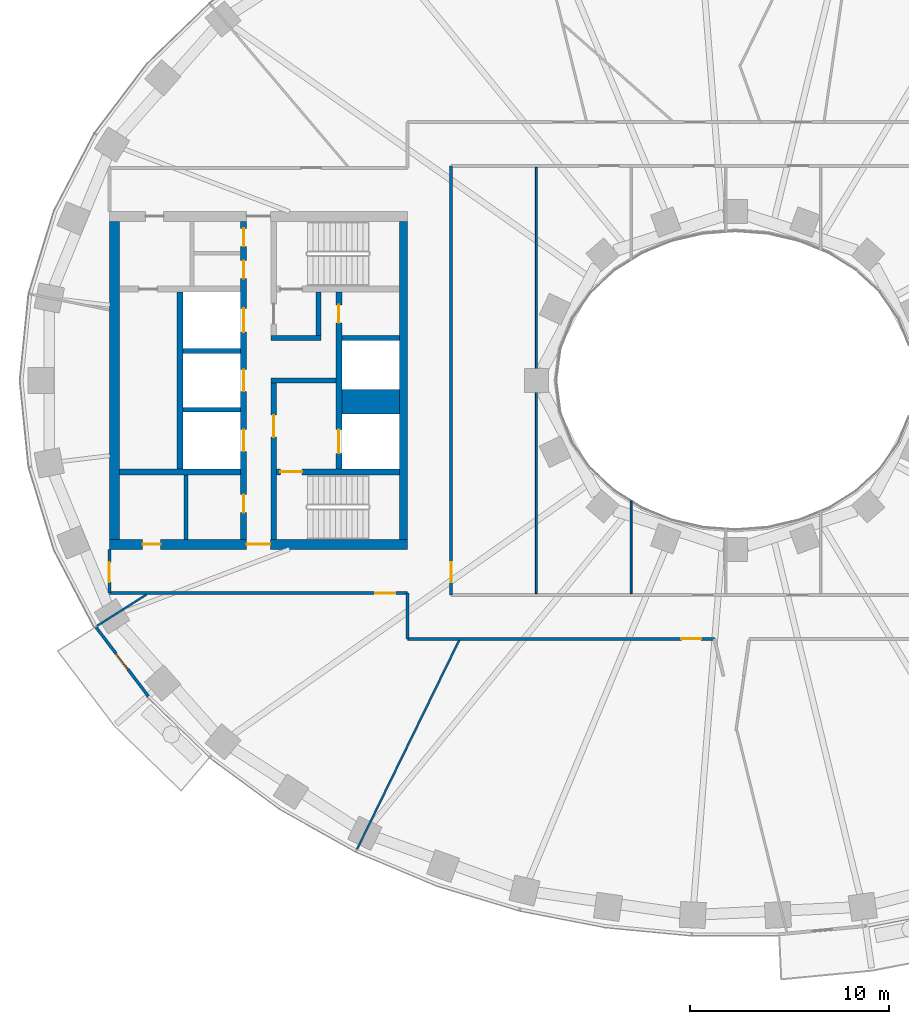
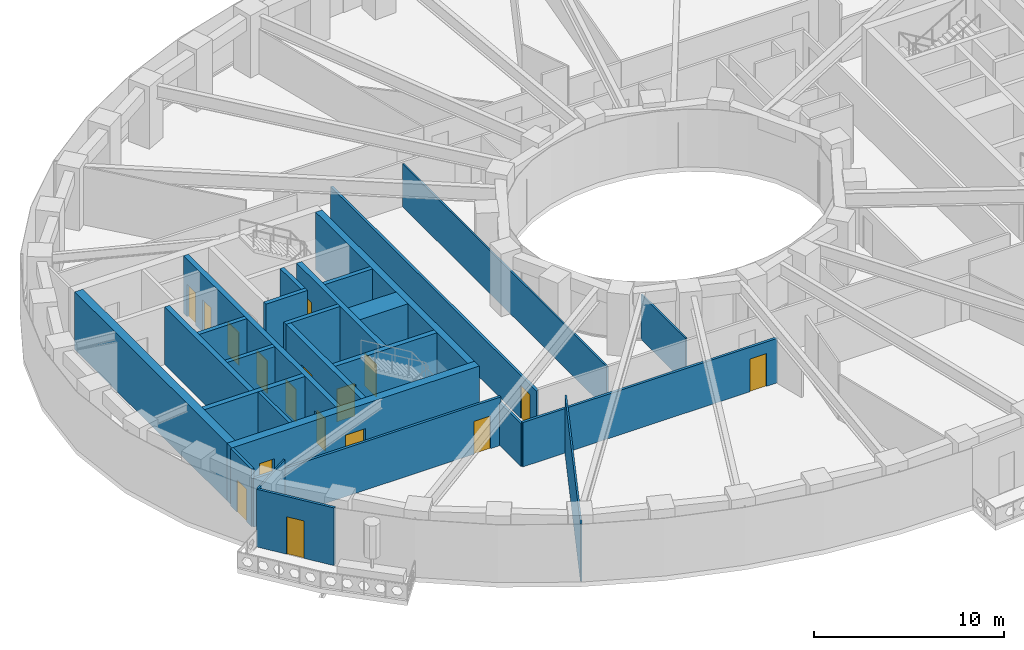
# One storey, part 3 of 16: 27 walls, 17 doors, 17 openings.
"""IFC4 building model written with IfcOpenShell, lengths in metres."""

import ifcopenshell
import ifcopenshell.guid

model = None  # the IFC model being written
_history = None  # IfcOwnerHistory: only IFC2X3 demands one
_inside = {}  # id of a spatial element -> (the spatial element, [elements in it])
_under = {}  # id of a project, library or spatial element -> (it, [spatial elements below it])
_declared = {}  # id of a project -> (the project, [libraries it declares])
_typed = {}  # id of a type object -> (the type object, [elements of that type])
_made_of = {}  # id of a material, layer set ... -> (it, [elements and type objects made of it])


def new_model(schema):
    """Start an empty IFC model of exactly this schema.

    Asked for "IFC4X3", IfcOpenShell would pick the latest addendum, in which some entities
    have other attributes; the version numbers below select the first issue.
    IFC2X3 requires an IfcOwnerHistory on every rooted entity: one is made here for all.
    """
    global model, _history
    if schema == "IFC4X3":
        model = ifcopenshell.file(schema_version=(4, 3, 0, 0))
    else:
        model = ifcopenshell.file(schema=schema)
    _inside.clear()
    _under.clear()
    _declared.clear()
    _typed.clear()
    _made_of.clear()
    _history = None
    if model.schema == "IFC2X3":
        org = make("IfcOrganization", Name="unknown")
        user = make(
            "IfcPersonAndOrganization",
            ThePerson=make("IfcPerson", FamilyName="unknown"),
            TheOrganization=org,
        )
        app = make(
            "IfcApplication",
            ApplicationDeveloper=org,
            Version="unknown",
            ApplicationFullName="unknown",
            ApplicationIdentifier="unknown",
        )
        _history = make(
            "IfcOwnerHistory",
            OwningUser=user,
            OwningApplication=app,
            ChangeAction="ADDED",
            CreationDate=0,
        )
    return model


def make(cls, **values):
    """One entity of the class cls with the attributes given. An attribute that is None is left unset."""
    return model.create_entity(
        cls, **{name: value for name, value in values.items() if value is not None}
    )


def rooted(cls, **values):
    """An entity with a GlobalId (a new one), such as an element, a storey or a relation."""
    return make(cls, GlobalId=ifcopenshell.guid.new(), OwnerHistory=_history, **values)


def si_unit(unit_type, name, prefix=None):
    """IfcSIUnit, for example si_unit("LENGTHUNIT", "METRE", prefix="MILLI")."""
    return make("IfcSIUnit", UnitType=unit_type, Prefix=prefix, Name=name)


def assignment(units):
    """IfcUnitAssignment: the units of a project."""
    return None if units is None else make("IfcUnitAssignment", Units=units)


def point(xyz):
    """IfcCartesianPoint."""
    return None if xyz is None else make("IfcCartesianPoint", Coordinates=xyz)


def direction(xyz):
    """IfcDirection."""
    return None if xyz is None else make("IfcDirection", DirectionRatios=xyz)


def frame(location, z_axis=None, x_axis=None):
    """IfcAxis2Placement3D, a coordinate frame: its origin and axes. An axis left out is left unset."""
    return make(
        "IfcAxis2Placement3D",
        Location=point(location),
        Axis=direction(z_axis),
        RefDirection=direction(x_axis),
    )


def frame_2d(location, x_axis=None):
    """IfcAxis2Placement2D, a coordinate frame in the plane: its origin and x axis."""
    return make(
        "IfcAxis2Placement2D", Location=point(location), RefDirection=direction(x_axis)
    )


def origin():
    """The frame at (0, 0, 0) with its axes left unset."""
    return frame((0.0, 0.0, 0.0))


def place(relative_to, where):
    """IfcLocalPlacement: puts the frame where relative to a parent placement (None: the world)."""
    return make(
        "IfcLocalPlacement", PlacementRelTo=relative_to, RelativePlacement=where
    )


def context(
    kind, dimensions, precision=None, world=None, true_north=None, identifier=None
):
    """IfcGeometricRepresentationContext, for example the 3D "Model" context."""
    return make(
        "IfcGeometricRepresentationContext",
        ContextIdentifier=identifier,
        ContextType=kind,
        CoordinateSpaceDimension=dimensions,
        Precision=precision,
        WorldCoordinateSystem=world,
        TrueNorth=true_north,
    )


def subcontext(parent, identifier, kind, view, scale=None):
    """IfcGeometricRepresentationSubContext, for example "Body" below "Model"."""
    return make(
        "IfcGeometricRepresentationSubContext",
        ContextIdentifier=identifier,
        ContextType=kind,
        ParentContext=parent,
        TargetScale=scale,
        TargetView=view,
    )


def project(units=None, contexts=None):
    """IfcProject with its units and contexts."""
    return rooted(
        "IfcProject",
        Name="project",
        RepresentationContexts=contexts,
        UnitsInContext=assignment(units),
    )


def spatial(cls, under=None, at=None, **own):
    """A site, building, storey or space (cls), placed at a placement, below another one or the project."""
    s = rooted(cls, ObjectPlacement=at, **own)
    if under is not None:
        _under.setdefault(under.id(), (under, []))[1].append(s)
    return s


def profile(cls, at=None, kind="AREA", **sizes):
    """A parametric profile (cls). Its sizes go by their IFC names, for example OverallWidth=200.0."""
    return make(cls, ProfileType=kind, Position=at, **sizes)


def rectangle(**sizes):
    """IfcRectangleProfileDef."""
    return profile("IfcRectangleProfileDef", **sizes)


def extrude(swept, where, along, depth):
    """IfcExtrudedAreaSolid: the profile swept, set in the frame where, extruded along a direction by depth."""
    return make(
        "IfcExtrudedAreaSolid",
        SweptArea=swept,
        Position=where,
        ExtrudedDirection=direction(along),
        Depth=depth,
    )


def shape(context_of_items, identifier, shape_type, items):
    """IfcShapeRepresentation: the items that make up one representation, for example the "Body"."""
    return make(
        "IfcShapeRepresentation",
        ContextOfItems=context_of_items,
        RepresentationIdentifier=identifier,
        RepresentationType=shape_type,
        Items=items,
    )


def material(Name=None, Category=None):
    """IfcMaterial."""
    return make("IfcMaterial", Name=Name, Category=Category)


def layer(
    of_material, thickness, ventilated=None, Name=None, Category=None, Priority=None
):
    """IfcMaterialLayer: one layer of a wall or slab, of a material (None: an air gap)."""
    return make(
        "IfcMaterialLayer",
        Material=of_material,
        LayerThickness=thickness,
        IsVentilated=ventilated,
        Name=Name,
        Category=Category,
        Priority=Priority,
    )


def layer_set(layers, Name=None):
    """IfcMaterialLayerSet."""
    return make("IfcMaterialLayerSet", MaterialLayers=layers, LayerSetName=Name)


def made_of(thing, what):
    """Note that an element or type object is made of a material, layer set ...; save() writes the relation."""
    if what is not None:
        _made_of.setdefault(what.id(), (what, []))[1].append(thing)
    return thing


def type_object(cls, material=None, **own):
    """A type object (cls), such as IfcWallType, which elements share."""
    return made_of(rooted(cls, **own), material)


def element(
    cls,
    number,
    at=None,
    inside=None,
    cuts=None,
    type_object=None,
    material=None,
    context=None,
    identifier="Body",
    shape_type=None,
    held_by="IfcProductDefinitionShape",
    body=None,
    shapes=None,
    **own,
):
    """One element of the class cls, such as IfcWall. Its Tag is "e" and its number.

    at: its placement. inside: the storey or other place that contains it. cuts: it is an
    opening in that element (IfcRelVoidsElement). A single representation is given by context,
    identifier, shape_type and body (its items); several are given by shapes. held_by: the class
    of the entity that holds the representations. save() writes the other relations.
    """
    e = rooted(cls, Tag="e%d" % number, ObjectPlacement=at, **own)
    if body is not None:
        shapes = [shape(context, identifier, shape_type, body)]
    if shapes is not None:
        e.Representation = make(held_by, Representations=shapes)
    if inside is not None:
        _inside.setdefault(inside.id(), (inside, []))[1].append(e)
    if cuts is not None:
        rooted(
            "IfcRelVoidsElement", RelatingBuildingElement=cuts, RelatedOpeningElement=e
        )
    if type_object is not None:
        _typed.setdefault(type_object.id(), (type_object, []))[1].append(e)
    return made_of(e, material)


def fill(opening, filler):
    """IfcRelFillsElement: the door or window that sits in an opening."""
    return rooted(
        "IfcRelFillsElement",
        RelatingOpeningElement=opening,
        RelatedBuildingElement=filler,
    )


def aggregate(whole, parts):
    """IfcRelAggregates: a whole, such as a stair, and the parts it consists of."""
    return rooted("IfcRelAggregates", RelatingObject=whole, RelatedObjects=parts)


def save(model, path):
    """Write the relations noted so far, then the file.

    IfcRelAggregates (storeys below a building ...), IfcRelContainedInSpatialStructure (elements
    in a storey), IfcRelDefinesByType, IfcRelAssociatesMaterial and IfcRelDeclares: one each for
    every whole, place, type object, material and project.
    """
    for whole, parts in _under.values():
        aggregate(whole, parts)
    for where, things in _inside.values():
        rooted(
            "IfcRelContainedInSpatialStructure",
            RelatedElements=things,
            RelatingStructure=where,
        )
    for kind, things in _typed.values():
        rooted("IfcRelDefinesByType", RelatedObjects=things, RelatingType=kind)
    for what, things in _made_of.values():
        rooted("IfcRelAssociatesMaterial", RelatedObjects=things, RelatingMaterial=what)
    for by, libraries in _declared.values():
        rooted("IfcRelDeclares", RelatingContext=by, RelatedDefinitions=libraries)
    model.write(path)


model = new_model("IFC4")

# Units and contexts
model_context = context("Model", 3, precision=1e-05, world=origin(), true_north=direction((0.0, 1.0)))
body_context = subcontext(model_context, "Body", "Model", "MODEL_VIEW")
ifc_project = project(units=[si_unit("LENGTHUNIT", "METRE"), si_unit("AREAUNIT", "SQUARE_METRE"), si_unit("VOLUMEUNIT", "CUBIC_METRE"), si_unit("PLANEANGLEUNIT", "RADIAN"), si_unit("MASSUNIT", "GRAM", prefix="KILO")], contexts=[model_context])

# Site, building, storey
site_placement = place(None, origin())
site = spatial("IfcSite", under=ifc_project, at=site_placement, CompositionType="ELEMENT")
building_placement = place(site_placement, origin())
building = spatial("IfcBuilding", under=site, at=building_placement, Name="Noorbagh Ring Tower", CompositionType="ELEMENT")
storey_placement = place(building_placement, frame((0.0, 0.0, 108.0)))
storey = spatial("IfcBuildingStorey", under=building, at=storey_placement, Name="L24", CompositionType="ELEMENT", Elevation=108.0)

# Walls
ifc_material_1 = material(Name="Gypsum board on steel studs", Category="steel")
ifc_layer_1 = layer(ifc_material_1, 0.199951171875)
ifc_layer_set_1 = layer_set([ifc_layer_1], Name="Gypsum board on steel studs")
wall_type_1 = type_object("IfcWallType", Name="CORE-PARTITION-200", PredefinedType="PARTITIONING", material=ifc_layer_set_1)
wall_1_placement = place(storey_placement, frame((-27.64990234375, -8.0, 0.0), z_axis=(0.0, 0.0, 1.0), x_axis=(0.0, 1.0, 0.0)))
element("IfcWall", 1, at=wall_1_placement, inside=storey, type_object=wall_type_1, Name="Core partition W", PredefinedType="PARTITIONING", context=body_context, shape_type="SweptSolid", body=[
    extrude(rectangle(XDim=3.25, YDim=0.199951171875, at=frame_2d((1.625, 0.0))), origin(), (0.0, 0.0, 1.0), 3.699951171875),
])
ifc_material_2 = material(Name="Concrete C70/85", Category="concrete")
ifc_layer_2 = layer(ifc_material_2, 1.25)
ifc_layer_set_2 = layer_set([ifc_layer_2], Name="Concrete C70/85")
wall_type_2 = type_object("IfcWallType", Name="CORE-WALL-1250-C70-85-EI120", PredefinedType="SHEAR", material=ifc_layer_set_2)
wall_2_placement = place(storey_placement, frame((-16.89990234375, -1.074951171875, 0.0), z_axis=(0.0, 0.0, 1.0), x_axis=(-1.0, 0.0, 0.0)))
element("IfcWall", 2, at=wall_2_placement, inside=storey, type_object=wall_type_2, Name="Core wall W", PredefinedType="SHEAR", context=body_context, shape_type="SweptSolid", body=[
    extrude(rectangle(XDim=2.900146484375, YDim=1.25, at=frame_2d((1.4501953125, 0.0))), origin(), (0.0, 0.0, 1.0), 3.699951171875),
])
ifc_material_3 = material(Name="Concrete C70/85", Category="concrete")
ifc_layer_3 = layer(ifc_material_3, 0.25)
ifc_layer_set_3 = layer_set([ifc_layer_3], Name="Concrete C70/85")
wall_type_3 = type_object("IfcWallType", Name="CORE-WALL-250-C70-85-EI120", PredefinedType="SHEAR", material=ifc_layer_set_3)
for number, where, z_axis, x_axis, name in (
    (3, (-16.89990234375, 2.125, 0.0), (0.0, 0.0, 1.0), (-1.0, 0.0, 0.0), "Core wall W"),
    (4, (-24.89990234375, -1.47509765625, 0.0), (0.0, 0.0, 1.0), (-1.0, 0.0, 0.0), "Core wall W"),
    (5, (-24.89990234375, 1.47509765625, 0.0), (0.0, 0.0, 1.0), (-1.0, 0.0, 0.0), "Core wall W"),
):
    element("IfcWall", number, at=place(storey_placement, frame(where, z_axis=z_axis, x_axis=x_axis)), inside=storey, type_object=wall_type_3, Name=name, PredefinedType="SHEAR", context=body_context, shape_type="SweptSolid", body=[
        extrude(rectangle(XDim=2.900146484375, YDim=0.25, at=frame_2d((1.4501953125, 0.0))), origin(), (0.0, 0.0, 1.0), 3.699951171875),
    ])
ifc_material_4 = material(Name="Concrete C70/85", Category="concrete")
ifc_layer_4 = layer(ifc_material_4, 0.25)
ifc_layer_set_4 = layer_set([ifc_layer_4], Name="Concrete C70/85")
wall_type_4 = type_object("IfcWallType", Name="CORE-WALL-250-C70-85-EI240", PredefinedType="SHEAR", material=ifc_layer_set_4)
wall_3_placement = place(storey_placement, frame((-20.10009765625, 0.0, 0.0), z_axis=(0.0, 0.0, 1.0), x_axis=(-1.0, 0.0, 0.0)))
element("IfcWall", 6, at=wall_3_placement, inside=storey, type_object=wall_type_4, Name="Core wall W", PredefinedType="SHEAR", context=body_context, shape_type="SweptSolid", body=[
    extrude(rectangle(XDim=3.27978515625, YDim=0.25, at=frame_2d((1.639892578125, 0.0))), origin(), (0.0, 0.0, 1.0), 3.699951171875),
])
wall_4_placement = place(storey_placement, frame((-20.85009765625, 2.125, 0.0), z_axis=(0.0, 0.0, 1.0), x_axis=(-1.0, 0.0, 0.0)))
element("IfcWall", 7, at=wall_4_placement, inside=storey, type_object=wall_type_4, Name="Core wall W", PredefinedType="SHEAR", context=body_context, shape_type="SweptSolid", body=[
    extrude(rectangle(XDim=2.52978515625, YDim=0.25, at=frame_2d((1.264892578125, 0.0))), origin(), (0.0, 0.0, 1.0), 3.699951171875),
])
wall_5_placement = place(storey_placement, frame((-20.97509765625, 2.25, 0.0), z_axis=(0.0, 0.0, 1.0), x_axis=(0.0, 1.0, 0.0)))
element("IfcWall", 8, at=wall_5_placement, inside=storey, type_object=wall_type_4, Name="Core wall W", PredefinedType="SHEAR", context=body_context, shape_type="SweptSolid", body=[
    extrude(rectangle(XDim=2.199951171875, YDim=0.25, at=frame_2d((1.10009765625, 0.0))), origin(), (0.0, 0.0, 1.0), 3.699951171875),
])
ifc_material_5 = material(Name="Concrete C70/85", Category="concrete")
ifc_layer_5 = layer(ifc_material_5, 0.300048828125)
ifc_layer_set_5 = layer_set([ifc_layer_5], Name="Concrete C70/85")
wall_type_5 = type_object("IfcWallType", Name="CORE-WALL-300-C70-85-EI120", PredefinedType="SHEAR", material=ifc_layer_set_5)
wall_6_placement = place(storey_placement, frame((-27.949951171875, -4.449951171875, 0.0), z_axis=(0.0, 0.0, 1.0), x_axis=(0.0, 1.0, 0.0)))
element("IfcWall", 9, at=wall_6_placement, inside=storey, type_object=wall_type_5, Name="Core wall W", PredefinedType="SHEAR", context=body_context, shape_type="SweptSolid", body=[
    extrude(rectangle(XDim=8.89990234375, YDim=0.300048828125, at=frame_2d((4.449951171875, 0.0))), origin(), (0.0, 0.0, 1.0), 3.699951171875),
])

# Wall, openings, doors
wall_7_placement = place(storey_placement, frame((-19.949951171875, -4.449951171875, 0.0), z_axis=(0.0, 0.0, 1.0), x_axis=(0.0, 1.0, 0.0)))
wall_7 = element("IfcWall", 10, at=wall_7_placement, inside=storey, type_object=wall_type_5, Name="Core wall W", PredefinedType="SHEAR", context=body_context, shape_type="SweptSolid", body=[
    extrude(rectangle(XDim=8.89990234375, YDim=0.300048828125, at=frame_2d((4.449951171875, 0.0))), origin(), (0.0, 0.0, 1.0), 3.699951171875),
])
opening_1_placement = place(wall_7_placement, frame((0.77490234375, 0.0, 0.0)))
opening_1 = element("IfcOpeningElement", 11, at=opening_1_placement, cuts=wall_7, Name="Opening L24-CW01", PredefinedType="OPENING", context=body_context, shape_type="SweptSolid", body=[
    extrude(rectangle(XDim=1.199951171875, YDim=2.10009765625, at=frame_2d((0.60009765625, 1.050048828125))), frame((0.0, 0.16015625, 0.0), z_axis=(0.0, -1.0, 0.0), x_axis=(1.0, 0.0, 0.0)), (0.0, 0.0, 1.0), 0.320068359375),
])
opening_2_placement = place(wall_7_placement, frame((7.35009765625, 0.0, 0.0)))
opening_2 = element("IfcOpeningElement", 12, at=opening_2_placement, cuts=wall_7, Name="Opening L24-CW11", PredefinedType="OPENING", context=body_context, shape_type="SweptSolid", body=[
    extrude(rectangle(XDim=0.89990234375, YDim=2.10009765625, at=frame_2d((0.449951171875, 1.050048828125))), frame((0.0, 0.16015625, 0.0), z_axis=(0.0, -1.0, 0.0), x_axis=(1.0, 0.0, 0.0)), (0.0, 0.0, 1.0), 0.320068359375),
])
ifc_material_6 = material(Name="Steel door leaf", Category="steel")
door_type_1 = type_object("IfcDoorType", Name="CORE-DOOR-DROOM", OperationType="SINGLE_SWING_LEFT", PredefinedType="DOOR", material=ifc_material_6)
door_1_placement = place(opening_2_placement, origin())
door_1 = element("IfcDoor", 13, at=door_1_placement, inside=storey, type_object=door_type_1, Name="Core room door L24-CW11", OperationType="SINGLE_SWING_LEFT", OverallHeight=2.10009765625, OverallWidth=0.89990234375, PredefinedType="DOOR", context=body_context, shape_type="SweptSolid", body=[
    extrude(rectangle(XDim=0.89990234375, YDim=2.10009765625, at=frame_2d((0.449951171875, 1.050048828125))), frame((0.0, 0.02490234375, 0.0), z_axis=(0.0, -1.0, 0.0), x_axis=(1.0, 0.0, 0.0)), (0.0, 0.0, 1.0), 0.050048828125),
])
fill(opening_2, door_1)
ifc_material_7 = material(Name="Steel door leaf", Category="steel")
door_type_2 = type_object("IfcDoorType", Name="CORE-DOOR-LDW", OperationType="DOUBLE_DOOR_SLIDING", PredefinedType="DOOR", material=ifc_material_7)
door_2_placement = place(opening_1_placement, origin())
door_2 = element("IfcDoor", 14, at=door_2_placement, inside=storey, type_object=door_type_2, Name="Landing door FF1 L24-CW01", OperationType="DOUBLE_DOOR_SLIDING", OverallHeight=2.10009765625, OverallWidth=1.199951171875, PredefinedType="DOOR", context=body_context, shape_type="SweptSolid", body=[
    extrude(rectangle(XDim=1.199951171875, YDim=2.10009765625, at=frame_2d((0.60009765625, 1.050048828125))), frame((0.0, 0.02490234375, 0.0), z_axis=(0.0, -1.0, 0.0), x_axis=(1.0, 0.0, 0.0)), (0.0, 0.0, 1.0), 0.050048828125),
])
fill(opening_1, door_2)

wall_8_placement = place(storey_placement, frame((-24.75, -8.0, 0.0), z_axis=(0.0, 0.0, 1.0), x_axis=(0.0, 1.0, 0.0)))
wall_8 = element("IfcWall", 15, at=wall_8_placement, inside=storey, type_object=wall_type_5, Name="Core wall W", PredefinedType="SHEAR", context=body_context, shape_type="SweptSolid", body=[
    extrude(rectangle(XDim=16.0, YDim=0.300048828125, at=frame_2d((8.0, 0.0))), origin(), (0.0, 0.0, 1.0), 3.699951171875),
])
opening_3_placement = place(wall_8_placement, frame((4.425048828125, 0.0, 0.0)))
opening_3 = element("IfcOpeningElement", 16, at=opening_3_placement, cuts=wall_8, Name="Opening L24-CW02", PredefinedType="OPENING", context=body_context, shape_type="SweptSolid", body=[
    extrude(rectangle(XDim=1.10009765625, YDim=2.10009765625, at=frame_2d((0.550048828125, 1.050048828125))), frame((0.0, 0.16015625, 0.0), z_axis=(0.0, -1.0, 0.0), x_axis=(1.0, 0.0, 0.0)), (0.0, 0.0, 1.0), 0.320068359375),
])
opening_4_placement = place(wall_8_placement, frame((7.449951171875, 0.0, 0.0)))
opening_4 = element("IfcOpeningElement", 17, at=opening_4_placement, cuts=wall_8, Name="Opening L24-CW03", PredefinedType="OPENING", context=body_context, shape_type="SweptSolid", body=[
    extrude(rectangle(XDim=1.10009765625, YDim=2.10009765625, at=frame_2d((0.550048828125, 1.050048828125))), frame((0.0, 0.16015625, 0.0), z_axis=(0.0, -1.0, 0.0), x_axis=(1.0, 0.0, 0.0)), (0.0, 0.0, 1.0), 0.320068359375),
])
opening_5_placement = place(wall_8_placement, frame((10.425048828125, 0.0, 0.0)))
opening_5 = element("IfcOpeningElement", 18, at=opening_5_placement, cuts=wall_8, Name="Opening L24-CW04", PredefinedType="OPENING", context=body_context, shape_type="SweptSolid", body=[
    extrude(rectangle(XDim=1.199951171875, YDim=2.10009765625, at=frame_2d((0.60009765625, 1.050048828125))), frame((0.0, 0.16015625, 0.0), z_axis=(0.0, -1.0, 0.0), x_axis=(1.0, 0.0, 0.0)), (0.0, 0.0, 1.0), 0.320068359375),
])
opening_6_placement = place(wall_8_placement, frame((13.125, 0.0, 0.0)))
opening_6 = element("IfcOpeningElement", 19, at=opening_6_placement, cuts=wall_8, Name="Opening L24-CW12", PredefinedType="OPENING", context=body_context, shape_type="SweptSolid", body=[
    extrude(rectangle(XDim=0.89990234375, YDim=2.10009765625, at=frame_2d((0.449951171875, 1.050048828125))), frame((0.0, 0.16015625, 0.0), z_axis=(0.0, -1.0, 0.0), x_axis=(1.0, 0.0, 0.0)), (0.0, 0.0, 1.0), 0.320068359375),
])
opening_7_placement = place(wall_8_placement, frame((14.75, 0.0, 0.0)))
opening_7 = element("IfcOpeningElement", 20, at=opening_7_placement, cuts=wall_8, Name="Opening L24-CW13", PredefinedType="OPENING", context=body_context, shape_type="SweptSolid", body=[
    extrude(rectangle(XDim=0.89990234375, YDim=2.10009765625, at=frame_2d((0.449951171875, 1.050048828125))), frame((0.0, 0.16015625, 0.0), z_axis=(0.0, -1.0, 0.0), x_axis=(1.0, 0.0, 0.0)), (0.0, 0.0, 1.0), 0.320068359375),
])
opening_8_placement = place(wall_8_placement, frame((1.35009765625, 0.0, 0.0)))
opening_8 = element("IfcOpeningElement", 21, at=opening_8_placement, cuts=wall_8, Name="Opening L24-CW15", PredefinedType="OPENING", context=body_context, shape_type="SweptSolid", body=[
    extrude(rectangle(XDim=0.89990234375, YDim=2.10009765625, at=frame_2d((0.449951171875, 1.050048828125))), frame((0.0, 0.16015625, 0.0), z_axis=(0.0, -1.0, 0.0), x_axis=(1.0, 0.0, 0.0)), (0.0, 0.0, 1.0), 0.320068359375),
])
door_3_placement = place(opening_6_placement, origin())
door_3 = element("IfcDoor", 22, at=door_3_placement, inside=storey, type_object=door_type_1, Name="Core room door L24-CW12", OperationType="SINGLE_SWING_LEFT", OverallHeight=2.10009765625, OverallWidth=0.89990234375, PredefinedType="DOOR", context=body_context, shape_type="SweptSolid", body=[
    extrude(rectangle(XDim=0.89990234375, YDim=2.10009765625, at=frame_2d((0.449951171875, 1.050048828125))), frame((0.0, 0.02490234375, 0.0), z_axis=(0.0, -1.0, 0.0), x_axis=(1.0, 0.0, 0.0)), (0.0, 0.0, 1.0), 0.050048828125),
])
fill(opening_6, door_3)
door_4_placement = place(opening_7_placement, origin())
door_4 = element("IfcDoor", 23, at=door_4_placement, inside=storey, type_object=door_type_1, Name="Core room door L24-CW13", OperationType="SINGLE_SWING_RIGHT", OverallHeight=2.10009765625, OverallWidth=0.89990234375, PredefinedType="DOOR", context=body_context, shape_type="SweptSolid", body=[
    extrude(rectangle(XDim=0.89990234375, YDim=2.10009765625, at=frame_2d((0.449951171875, 1.050048828125))), frame((0.0, 0.02490234375, 0.0), z_axis=(0.0, -1.0, 0.0), x_axis=(1.0, 0.0, 0.0)), (0.0, 0.0, 1.0), 0.050048828125),
])
fill(opening_7, door_4)
door_5_placement = place(opening_8_placement, origin())
door_5 = element("IfcDoor", 24, at=door_5_placement, inside=storey, type_object=door_type_1, Name="Core room door L24-CW15", OperationType="SINGLE_SWING_LEFT", OverallHeight=2.10009765625, OverallWidth=0.89990234375, PredefinedType="DOOR", context=body_context, shape_type="SweptSolid", body=[
    extrude(rectangle(XDim=0.89990234375, YDim=2.10009765625, at=frame_2d((0.449951171875, 1.050048828125))), frame((0.0, 0.02490234375, 0.0), z_axis=(0.0, -1.0, 0.0), x_axis=(1.0, 0.0, 0.0)), (0.0, 0.0, 1.0), 0.050048828125),
])
fill(opening_8, door_5)
ifc_material_8 = material(Name="Steel door leaf", Category="steel")
door_type_3 = type_object("IfcDoorType", Name="CORE-DOOR-LD", OperationType="DOUBLE_DOOR_SLIDING", PredefinedType="DOOR", material=ifc_material_8)
door_6_placement = place(opening_3_placement, origin())
door_6 = element("IfcDoor", 25, at=door_6_placement, inside=storey, type_object=door_type_3, Name="Landing door LR1 L24-CW02", OperationType="DOUBLE_DOOR_SLIDING", OverallHeight=2.10009765625, OverallWidth=1.10009765625, PredefinedType="DOOR", context=body_context, shape_type="SweptSolid", body=[
    extrude(rectangle(XDim=1.10009765625, YDim=2.10009765625, at=frame_2d((0.550048828125, 1.050048828125))), frame((0.0, 0.02490234375, 0.0), z_axis=(0.0, -1.0, 0.0), x_axis=(1.0, 0.0, 0.0)), (0.0, 0.0, 1.0), 0.050048828125),
])
fill(opening_3, door_6)
door_7_placement = place(opening_4_placement, origin())
door_7 = element("IfcDoor", 26, at=door_7_placement, inside=storey, type_object=door_type_3, Name="Landing door LR2 L24-CW03", OperationType="DOUBLE_DOOR_SLIDING", OverallHeight=2.10009765625, OverallWidth=1.10009765625, PredefinedType="DOOR", context=body_context, shape_type="SweptSolid", body=[
    extrude(rectangle(XDim=1.10009765625, YDim=2.10009765625, at=frame_2d((0.550048828125, 1.050048828125))), frame((0.0, 0.02490234375, 0.0), z_axis=(0.0, -1.0, 0.0), x_axis=(1.0, 0.0, 0.0)), (0.0, 0.0, 1.0), 0.050048828125),
])
fill(opening_4, door_7)
door_8_placement = place(opening_5_placement, origin())
door_8 = element("IfcDoor", 27, at=door_8_placement, inside=storey, type_object=door_type_2, Name="Landing door SV1 L24-CW04", OperationType="DOUBLE_DOOR_SLIDING", OverallHeight=2.10009765625, OverallWidth=1.199951171875, PredefinedType="DOOR", context=body_context, shape_type="SweptSolid", body=[
    extrude(rectangle(XDim=1.199951171875, YDim=2.10009765625, at=frame_2d((0.60009765625, 1.050048828125))), frame((0.0, 0.02490234375, 0.0), z_axis=(0.0, -1.0, 0.0), x_axis=(1.0, 0.0, 0.0)), (0.0, 0.0, 1.0), 0.050048828125),
])
fill(opening_5, door_8)

# Wall
ifc_material_9 = material(Name="Concrete C70/85", Category="concrete")
ifc_layer_6 = layer(ifc_material_9, 0.300048828125)
ifc_layer_set_6 = layer_set([ifc_layer_6], Name="Concrete C70/85")
wall_type_6 = type_object("IfcWallType", Name="CORE-WALL-300-C70-85-EI240", PredefinedType="SHEAR", material=ifc_layer_set_6)
wall_9_placement = place(storey_placement, frame((-24.89990234375, -4.60009765625, 0.0), z_axis=(0.0, 0.0, 1.0), x_axis=(-1.0, 0.0, 0.0)))
element("IfcWall", 28, at=wall_9_placement, inside=storey, type_object=wall_type_6, Name="Core wall W", PredefinedType="SHEAR", context=body_context, shape_type="SweptSolid", body=[
    extrude(rectangle(XDim=6.10009765625, YDim=0.300048828125, at=frame_2d((3.050048828125, 0.0))), origin(), (0.0, 0.0, 1.0), 3.699951171875),
])

# Wall, opening, door
wall_10_placement = place(storey_placement, frame((-23.22998046875, -8.0, 0.0), z_axis=(0.0, 0.0, 1.0), x_axis=(0.0, 1.0, 0.0)))
wall_10 = element("IfcWall", 29, at=wall_10_placement, inside=storey, type_object=wall_type_6, Name="Core wall W", PredefinedType="SHEAR", context=body_context, shape_type="SweptSolid", body=[
    extrude(rectangle(XDim=7.875, YDim=0.300048828125, at=frame_2d((3.9375, 0.0))), origin(), (0.0, 0.0, 1.0), 3.699951171875),
])
opening_9_placement = place(wall_10_placement, frame((5.14990234375, 0.0, 0.0)))
opening_9 = element("IfcOpeningElement", 30, at=opening_9_placement, cuts=wall_10, Name="Opening L24-CW07", PredefinedType="OPENING", context=body_context, shape_type="SweptSolid", body=[
    extrude(rectangle(XDim=1.10009765625, YDim=2.10009765625, at=frame_2d((0.550048828125, 1.050048828125))), frame((0.0, 0.16015625, 0.0), z_axis=(0.0, -1.0, 0.0), x_axis=(1.0, 0.0, 0.0)), (0.0, 0.0, 1.0), 0.320068359375),
])
ifc_material_10 = material(Name="Steel door leaf", Category="steel")
door_type_4 = type_object("IfcDoorType", Name="CORE-DOOR-DFF", OperationType="SINGLE_SWING_LEFT", PredefinedType="DOOR", material=ifc_material_10)
door_9_placement = place(opening_9_placement, origin())
door_9 = element("IfcDoor", 31, at=door_9_placement, inside=storey, type_object=door_type_4, Name="Firefighting lobby door L24-CW07", OperationType="SINGLE_SWING_LEFT", OverallHeight=2.10009765625, OverallWidth=1.10009765625, PredefinedType="DOOR", context=body_context, shape_type="SweptSolid", body=[
    extrude(rectangle(XDim=1.10009765625, YDim=2.10009765625, at=frame_2d((0.550048828125, 1.050048828125))), frame((0.0, 0.02490234375, 0.0), z_axis=(0.0, -1.0, 0.0), x_axis=(1.0, 0.0, 0.0)), (0.0, 0.0, 1.0), 0.050048828125),
])
fill(opening_9, door_9)

wall_11_placement = place(storey_placement, frame((-16.89990234375, -4.60009765625, 0.0), z_axis=(0.0, 0.0, 1.0), x_axis=(-1.0, 0.0, 0.0)))
wall_11 = element("IfcWall", 32, at=wall_11_placement, inside=storey, type_object=wall_type_6, Name="Core wall W", PredefinedType="SHEAR", context=body_context, shape_type="SweptSolid", body=[
    extrude(rectangle(XDim=6.18017578125, YDim=0.300048828125, at=frame_2d((3.090087890625, 0.0))), origin(), (0.0, 0.0, 1.0), 3.699951171875),
])
opening_10_placement = place(wall_11_placement, frame((4.89990234375, 0.0, 0.0)))
opening_10 = element("IfcOpeningElement", 33, at=opening_10_placement, cuts=wall_11, Name="Opening L24-CW06", PredefinedType="OPENING", context=body_context, shape_type="SweptSolid", body=[
    extrude(rectangle(XDim=1.10009765625, YDim=2.10009765625, at=frame_2d((0.550048828125, 1.050048828125))), frame((0.0, 0.16015625, 0.0), z_axis=(0.0, -1.0, 0.0), x_axis=(1.0, 0.0, 0.0)), (0.0, 0.0, 1.0), 0.320068359375),
])
ifc_material_11 = material(Name="Steel door leaf", Category="steel")
door_type_5 = type_object("IfcDoorType", Name="CORE-DOOR-DSTAIR", OperationType="SINGLE_SWING_LEFT", PredefinedType="DOOR", material=ifc_material_11)
door_10_placement = place(opening_10_placement, origin())
door_10 = element("IfcDoor", 34, at=door_10_placement, inside=storey, type_object=door_type_5, Name="Stair door ST2 L24-CW06", OperationType="SINGLE_SWING_LEFT", OverallHeight=2.10009765625, OverallWidth=1.10009765625, PredefinedType="DOOR", context=body_context, shape_type="SweptSolid", body=[
    extrude(rectangle(XDim=1.10009765625, YDim=2.10009765625, at=frame_2d((0.550048828125, 1.050048828125))), frame((0.0, 0.02490234375, 0.0), z_axis=(0.0, -1.0, 0.0), x_axis=(1.0, 0.0, 0.0)), (0.0, 0.0, 1.0), 0.050048828125),
])
fill(opening_10, door_10)

# Wall
ifc_material_12 = material(Name="Concrete C70/85", Category="concrete")
ifc_layer_7 = layer(ifc_material_12, 0.39990234375)
ifc_layer_set_7 = layer_set([ifc_layer_7], Name="Concrete C70/85")
wall_type_7 = type_object("IfcWallType", Name="CORE-WALL-400-C70-85-EI240", PredefinedType="SHEAR", material=ifc_layer_set_7)
wall_12_placement = place(storey_placement, frame((-16.699951171875, -8.0, 0.0), z_axis=(0.0, 0.0, 1.0), x_axis=(0.0, 1.0, 0.0)))
element("IfcWall", 35, at=wall_12_placement, inside=storey, type_object=wall_type_7, Name="Core wall W", PredefinedType="SHEAR", context=body_context, shape_type="SweptSolid", body=[
    extrude(rectangle(XDim=16.0, YDim=0.39990234375, at=frame_2d((8.0, 0.0))), origin(), (0.0, 0.0, 1.0), 3.699951171875),
])

# Wall, openings, doors
ifc_material_13 = material(Name="Concrete C70/85", Category="concrete")
ifc_layer_8 = layer(ifc_material_13, 0.5)
ifc_layer_set_8 = layer_set([ifc_layer_8], Name="Concrete C70/85")
wall_type_8 = type_object("IfcWallType", Name="CORE-WALL-500-C70-85-EI240", PredefinedType="SHEAR", material=ifc_layer_set_8)
wall_13_placement = place(storey_placement, frame((-16.5, -8.25, 0.0), z_axis=(0.0, 0.0, 1.0), x_axis=(-1.0, 0.0, 0.0)))
wall_13 = element("IfcWall", 36, at=wall_13_placement, inside=storey, type_object=wall_type_8, Name="Core wall W", PredefinedType="SHEAR", context=body_context, shape_type="SweptSolid", body=[
    extrude(rectangle(XDim=15.0, YDim=0.5, at=frame_2d((7.5, 0.0))), origin(), (0.0, 0.0, 1.0), 3.699951171875),
])
opening_11_placement = place(wall_13_placement, frame((6.89990234375, 0.0, 0.0)))
opening_11 = element("IfcOpeningElement", 37, at=opening_11_placement, cuts=wall_13, Name="Opening L24-CW10", PredefinedType="OPENING", context=body_context, shape_type="SweptSolid", body=[
    extrude(rectangle(XDim=1.199951171875, YDim=2.10009765625, at=frame_2d((0.60009765625, 1.050048828125))), frame((0.0, 0.260009765625, 0.0), z_axis=(0.0, -1.0, 0.0), x_axis=(1.0, 0.0, 0.0)), (0.0, 0.0, 1.0), 0.52001953125),
])
opening_12_placement = place(wall_13_placement, frame((12.425048828125, 0.0, 0.0)))
opening_12 = element("IfcOpeningElement", 38, at=opening_12_placement, cuts=wall_13, Name="Opening L24-CW16", PredefinedType="OPENING", context=body_context, shape_type="SweptSolid", body=[
    extrude(rectangle(XDim=0.89990234375, YDim=2.10009765625, at=frame_2d((0.449951171875, 1.050048828125))), frame((0.0, 0.260009765625, 0.0), z_axis=(0.0, -1.0, 0.0), x_axis=(1.0, 0.0, 0.0)), (0.0, 0.0, 1.0), 0.52001953125),
])
door_11_placement = place(opening_12_placement, origin())
door_11 = element("IfcDoor", 39, at=door_11_placement, inside=storey, type_object=door_type_1, Name="Core room door L24-CW16", OperationType="SINGLE_SWING_LEFT", OverallHeight=2.10009765625, OverallWidth=0.89990234375, PredefinedType="DOOR", context=body_context, shape_type="SweptSolid", body=[
    extrude(rectangle(XDim=0.89990234375, YDim=2.10009765625, at=frame_2d((0.449951171875, 1.050048828125))), frame((0.0, 0.02490234375, 0.0), z_axis=(0.0, -1.0, 0.0), x_axis=(1.0, 0.0, 0.0)), (0.0, 0.0, 1.0), 0.050048828125),
])
fill(opening_12, door_11)
ifc_material_14 = material(Name="Steel door leaf", Category="steel")
door_type_6 = type_object("IfcDoorType", Name="CORE-DOOR-PORT", OperationType="DOUBLE_DOOR_DOUBLE_SWING", PredefinedType="DOOR", material=ifc_material_14)
door_12_placement = place(opening_11_placement, origin())
door_12 = element("IfcDoor", 40, at=door_12_placement, inside=storey, type_object=door_type_6, Name="Core entrance door L24-CW10", OperationType="DOUBLE_DOOR_DOUBLE_SWING", OverallHeight=2.10009765625, OverallWidth=1.199951171875, PredefinedType="DOOR", context=body_context, shape_type="SweptSolid", body=[
    extrude(rectangle(XDim=1.199951171875, YDim=2.10009765625, at=frame_2d((0.60009765625, 1.050048828125))), frame((0.0, 0.02490234375, 0.0), z_axis=(0.0, -1.0, 0.0), x_axis=(1.0, 0.0, 0.0)), (0.0, 0.0, 1.0), 0.050048828125),
])
fill(opening_11, door_12)

# Wall
wall_14_placement = place(storey_placement, frame((-31.25, -8.0, 0.0), z_axis=(0.0, 0.0, 1.0), x_axis=(0.0, 1.0, 0.0)))
element("IfcWall", 41, at=wall_14_placement, inside=storey, type_object=wall_type_8, Name="Core wall W", PredefinedType="SHEAR", context=body_context, shape_type="SweptSolid", body=[
    extrude(rectangle(XDim=16.0, YDim=0.5, at=frame_2d((8.0, 0.0))), origin(), (0.0, 0.0, 1.0), 3.699951171875),
])

# Wall, opening, door
ifc_material_15 = material(Name="Gypsum board on steel studs", Category="steel")
ifc_layer_9 = layer(ifc_material_15, 0.14990234375)
ifc_layer_set_9 = layer_set([ifc_layer_9], Name="Gypsum board on steel studs")
wall_type_9 = type_object("IfcWallType", Name="CORRIDOR PARTITION 150 EI 30", PredefinedType="PARTITIONING", material=ifc_layer_set_9)
wall_15_placement = place(storey_placement, frame((-31.5, -10.699951171875, 0.0), z_axis=(0.0, 0.0, 1.0), x_axis=(0.0, 1.0, 0.0)))
wall_15 = element("IfcWall", 42, at=wall_15_placement, inside=storey, type_object=wall_type_9, Name="L24/wall/P03", PredefinedType="PARTITIONING", context=body_context, shape_type="SweptSolid", body=[
    extrude(rectangle(XDim=2.199951171875, YDim=0.14990234375, at=frame_2d((1.10009765625, 0.0))), origin(), (0.0, 0.0, 1.0), 3.699951171875),
])
opening_13_placement = place(wall_15_placement, frame((0.550048828125, 0.0, 0.0)))
opening_13 = element("IfcOpeningElement", 43, at=opening_13_placement, cuts=wall_15, Name="Opening D1", PredefinedType="OPENING", context=body_context, shape_type="SweptSolid", body=[
    extrude(rectangle(XDim=1.0, YDim=2.10009765625, at=frame_2d((0.5, 1.050048828125))), frame((0.0, 0.0849609375, 0.0), z_axis=(0.0, -1.0, 0.0), x_axis=(1.0, 0.0, 0.0)), (0.0, 0.0, 1.0), 0.169921875),
])
ifc_material_16 = material(Name="Timber, painted", Category="wood")
door_type_7 = type_object("IfcDoorType", Name="DOOR 1000 X 2100 FD30", OperationType="SINGLE_SWING_LEFT", PredefinedType="DOOR", material=ifc_material_16)
door_13_placement = place(opening_13_placement, origin())
door_13 = element("IfcDoor", 44, at=door_13_placement, inside=storey, type_object=door_type_7, Name="L24-D06", OperationType="SINGLE_SWING_RIGHT", OverallHeight=2.10009765625, OverallWidth=1.0, PredefinedType="DOOR", context=body_context, shape_type="SweptSolid", body=[
    extrude(rectangle(XDim=1.0, YDim=2.10009765625, at=frame_2d((0.5, 1.050048828125))), frame((0.0, 0.02490234375, 0.0), z_axis=(0.0, -1.0, 0.0), x_axis=(1.0, 0.0, 0.0)), (0.0, 0.0, 1.0), 0.050048828125),
])
fill(opening_13, door_13)

wall_16_placement = place(storey_placement, frame((-31.5, -10.699951171875, 0.0), z_axis=(0.0, 0.0, 1.0), x_axis=(1.0, 0.0, 0.0)))
wall_16 = element("IfcWall", 45, at=wall_16_placement, inside=storey, type_object=wall_type_9, Name="L24/wall/P04", PredefinedType="PARTITIONING", context=body_context, shape_type="SweptSolid", body=[
    extrude(rectangle(XDim=15.0, YDim=0.14990234375, at=frame_2d((7.5, 0.0))), origin(), (0.0, 0.0, 1.0), 3.10009765625),
])
opening_14_placement = place(wall_16_placement, frame((13.37890625, 0.0, 0.0)))
opening_14 = element("IfcOpeningElement", 46, at=opening_14_placement, cuts=wall_16, Name="Opening D1", PredefinedType="OPENING", context=body_context, shape_type="SweptSolid", body=[
    extrude(rectangle(XDim=1.0, YDim=2.10009765625, at=frame_2d((0.5, 1.050048828125))), frame((0.0, 0.0849609375, 0.0), z_axis=(0.0, -1.0, 0.0), x_axis=(1.0, 0.0, 0.0)), (0.0, 0.0, 1.0), 0.169921875),
])
door_14_placement = place(opening_14_placement, origin())
door_14 = element("IfcDoor", 47, at=door_14_placement, inside=storey, type_object=door_type_7, Name="L24-D08", OperationType="SINGLE_SWING_RIGHT", OverallHeight=2.10009765625, OverallWidth=1.0, PredefinedType="DOOR", context=body_context, shape_type="SweptSolid", body=[
    extrude(rectangle(XDim=1.0, YDim=2.10009765625, at=frame_2d((0.5, 1.050048828125))), frame((0.0, 0.02490234375, 0.0), z_axis=(0.0, -1.0, 0.0), x_axis=(1.0, 0.0, 0.0)), (0.0, 0.0, 1.0), 0.050048828125),
])
fill(opening_14, door_14)

# Wall
wall_17_placement = place(storey_placement, frame((-16.5, -13.0, 0.0), z_axis=(0.0, 0.0, 1.0), x_axis=(0.0, 1.0, 0.0)))
element("IfcWall", 48, at=wall_17_placement, inside=storey, type_object=wall_type_9, Name="L24/wall/P09", PredefinedType="PARTITIONING", context=body_context, shape_type="SweptSolid", body=[
    extrude(rectangle(XDim=2.300048828125, YDim=0.14990234375, at=frame_2d((1.14990234375, 0.0))), origin(), (0.0, 0.0, 1.0), 2.75),
])

# Wall, opening, door
wall_18_placement = place(storey_placement, frame((-16.5, -13.0, 0.0), z_axis=(0.0, 0.0, 1.0), x_axis=(1.0, 0.0, 0.0)))
wall_18 = element("IfcWall", 49, at=wall_18_placement, inside=storey, type_object=wall_type_9, Name="L24/wall/P10", PredefinedType="PARTITIONING", context=body_context, shape_type="SweptSolid", body=[
    extrude(rectangle(XDim=15.43896484375, YDim=0.14990234375, at=frame_2d((7.719482421875, 0.0))), origin(), (0.0, 0.0, 1.0), 2.85009765625),
])
opening_15_placement = place(wall_18_placement, frame((13.779052734375, 0.0, 0.0)))
opening_15 = element("IfcOpeningElement", 50, at=opening_15_placement, cuts=wall_18, Name="Opening D1", PredefinedType="OPENING", context=body_context, shape_type="SweptSolid", body=[
    extrude(rectangle(XDim=1.0, YDim=2.10009765625, at=frame_2d((0.5, 1.050048828125))), frame((0.0, 0.0849609375, 0.0), z_axis=(0.0, -1.0, 0.0), x_axis=(1.0, 0.0, 0.0)), (0.0, 0.0, 1.0), 0.169921875),
])
door_15_placement = place(opening_15_placement, origin())
door_15 = element("IfcDoor", 51, at=door_15_placement, inside=storey, type_object=door_type_7, Name="L24-D10", OperationType="SINGLE_SWING_RIGHT", OverallHeight=2.10009765625, OverallWidth=1.0, PredefinedType="DOOR", context=body_context, shape_type="SweptSolid", body=[
    extrude(rectangle(XDim=1.0, YDim=2.10009765625, at=frame_2d((0.5, 1.050048828125))), frame((0.0, 0.02490234375, 0.0), z_axis=(0.0, -1.0, 0.0), x_axis=(1.0, 0.0, 0.0)), (0.0, 0.0, 1.0), 0.050048828125),
])
fill(opening_15, door_15)

wall_19_placement = place(storey_placement, frame((-14.300048828125, -10.800048828125, 0.0), z_axis=(0.0, 0.0, 1.0), x_axis=(0.0, 1.0, 0.0)))
wall_19 = element("IfcWall", 52, at=wall_19_placement, inside=storey, type_object=wall_type_9, Name="L24/wall/P13", PredefinedType="PARTITIONING", context=body_context, shape_type="SweptSolid", body=[
    extrude(rectangle(XDim=21.60009765625, YDim=0.14990234375, at=frame_2d((10.800048828125, 0.0))), origin(), (0.0, 0.0, 1.0), 2.75),
])
opening_16_placement = place(wall_19_placement, frame((0.64990234375, 0.0, 0.0)))
opening_16 = element("IfcOpeningElement", 53, at=opening_16_placement, cuts=wall_19, Name="Opening D1", PredefinedType="OPENING", context=body_context, shape_type="SweptSolid", body=[
    extrude(rectangle(XDim=1.0, YDim=2.10009765625, at=frame_2d((0.5, 1.050048828125))), frame((0.0, 0.0849609375, 0.0), z_axis=(0.0, -1.0, 0.0), x_axis=(1.0, 0.0, 0.0)), (0.0, 0.0, 1.0), 0.169921875),
])
door_16_placement = place(opening_16_placement, origin())
door_16 = element("IfcDoor", 54, at=door_16_placement, inside=storey, type_object=door_type_7, Name="L24-D19", OperationType="SINGLE_SWING_LEFT", OverallHeight=2.10009765625, OverallWidth=1.0, PredefinedType="DOOR", context=body_context, shape_type="SweptSolid", body=[
    extrude(rectangle(XDim=1.0, YDim=2.10009765625, at=frame_2d((0.5, 1.050048828125))), frame((0.0, 0.02490234375, 0.0), z_axis=(0.0, -1.0, 0.0), x_axis=(1.0, 0.0, 0.0)), (0.0, 0.0, 1.0), 0.050048828125),
])
fill(opening_16, door_16)

ifc_material_17 = material(Name="Insulated aluminium clad panel", Category="aluminium")
ifc_layer_10 = layer(ifc_material_17, 0.14990234375)
ifc_layer_set_10 = layer_set([ifc_layer_10], Name="Insulated aluminium clad panel")
wall_type_10 = type_object("IfcWallType", Name="ENV-WALL-DOOR", PredefinedType="STANDARD", material=ifc_layer_set_10)
wall_20_placement = place(storey_placement, frame((-32.20751953125, -12.37353515625, 0.0), z_axis=(0.0, 0.0, 1.0), x_axis=(0.604045763106, -0.796949632081, 0.0)))
wall_20 = element("IfcWall", 55, at=wall_20_placement, inside=storey, type_object=wall_type_10, Name="Balcony door wall chord 27", PredefinedType="STANDARD", context=body_context, shape_type="SweptSolid", body=[
    extrude(rectangle(XDim=4.42333984375, YDim=0.14990234375, at=frame_2d((2.211669921875, 0.0))), origin(), (0.0, 0.0, 1.0), 3.699951171875),
])
opening_17_placement = place(wall_20_placement, frame((1.711669921875, 0.0, 0.0)))
opening_17 = element("IfcOpeningElement", 56, at=opening_17_placement, cuts=wall_20, Name="Opening D-BL", PredefinedType="OPENING", context=body_context, shape_type="SweptSolid", body=[
    extrude(rectangle(XDim=1.0, YDim=2.39990234375, at=frame_2d((0.5, 1.199951171875))), frame((0.0, 0.0849609375, 0.0), z_axis=(0.0, -1.0, 0.0), x_axis=(1.0, 0.0, 0.0)), (0.0, 0.0, 1.0), 0.169921875),
])
ifc_material_18 = material(Name="Aluminium and glass", Category="aluminium")
door_type_8 = type_object("IfcDoorType", Name="ENV-DOOR-BALCONY", OperationType="SINGLE_SWING_LEFT", PredefinedType="DOOR", material=ifc_material_18)
door_17_placement = place(opening_17_placement, origin())
door_17 = element("IfcDoor", 57, at=door_17_placement, inside=storey, type_object=door_type_8, Name="Balcony door chord 27", OperationType="SINGLE_SWING_LEFT", OverallHeight=2.39990234375, OverallWidth=1.0, PredefinedType="DOOR", context=body_context, shape_type="SweptSolid", body=[
    extrude(rectangle(XDim=1.0, YDim=2.39990234375, at=frame_2d((0.5, 1.199951171875))), frame((0.0, 0.02490234375, 0.0), z_axis=(0.0, -1.0, 0.0), x_axis=(1.0, 0.0, 0.0)), (0.0, 0.0, 1.0), 0.050048828125),
])
fill(opening_17, door_17)

# Walls
ifc_material_19 = material(Name="Gypsum board on steel studs", Category="steel")
ifc_layer_11 = layer(ifc_material_19, 0.10009765625)
ifc_layer_set_11 = layer_set([ifc_layer_11], Name="Gypsum board on steel studs")
wall_type_11 = type_object("IfcWallType", Name="PARTITION 100 GYPSUM", PredefinedType="PARTITIONING", material=ifc_layer_set_11)
wall_21_placement = place(storey_placement, frame((-32.2119140625, -12.407958984375, 0.0), z_axis=(0.0, 0.0, 1.0), x_axis=(0.844810627195, 0.535065420467, 0.0)))
element("IfcWall", 58, at=wall_21_placement, inside=storey, type_object=wall_type_11, Name="L24/wall/P02", PredefinedType="PARTITIONING", context=body_context, shape_type="SweptSolid", body=[
    extrude(rectangle(XDim=3.0478515625, YDim=0.10009765625, at=frame_2d((1.52392578125, 0.0))), origin(), (0.0, 0.0, 1.0), 3.699951171875),
])
wall_22_placement = place(storey_placement, frame((-19.0859375, -23.68505859375, 0.0), z_axis=(0.0, 0.0, 1.0), x_axis=(0.439199750603, 0.898389436197, 0.0)))
element("IfcWall", 59, at=wall_22_placement, inside=storey, type_object=wall_type_11, Name="L24/wall/P08", PredefinedType="PARTITIONING", context=body_context, shape_type="SweptSolid", body=[
    extrude(rectangle(XDim=11.81005859375, YDim=0.10009765625, at=frame_2d((5.905029296875, 0.0))), origin(), (0.0, 0.0, 1.0), 3.699951171875),
])
wall_23_placement = place(storey_placement, frame((-10.010009765625, -10.72509765625, 0.0), z_axis=(0.0, 0.0, 1.0), x_axis=(0.0, 1.0, 0.0)))
element("IfcWall", 60, at=wall_23_placement, inside=storey, type_object=wall_type_11, Name="L24/wall/P17", PredefinedType="PARTITIONING", context=body_context, shape_type="SweptSolid", body=[
    extrude(rectangle(XDim=21.4501953125, YDim=0.10009765625, at=frame_2d((10.72509765625, 0.0))), origin(), (0.0, 0.0, 1.0), 2.75),
])
wall_24_placement = place(storey_placement, frame((-5.242919921875, -10.72509765625, 0.0), z_axis=(0.0, 0.0, 1.0), x_axis=(0.0, 1.0, 0.0)))
element("IfcWall", 61, at=wall_24_placement, inside=storey, type_object=wall_type_11, Name="L24/wall/P20", PredefinedType="PARTITIONING", context=body_context, shape_type="SweptSolid", body=[
    extrude(rectangle(XDim=4.666015625, YDim=0.10009765625, at=frame_2d((2.3330078125, 0.0))), origin(), (0.0, 0.0, 1.0), 2.89990234375),
])

save(model, "model.ifc")
